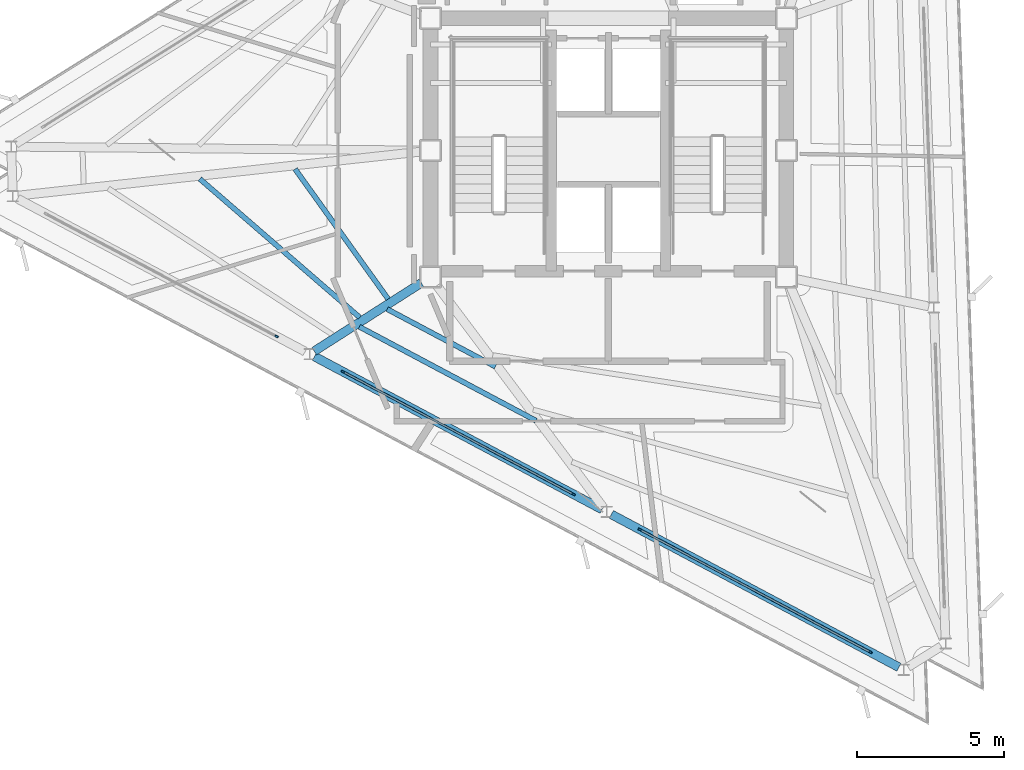
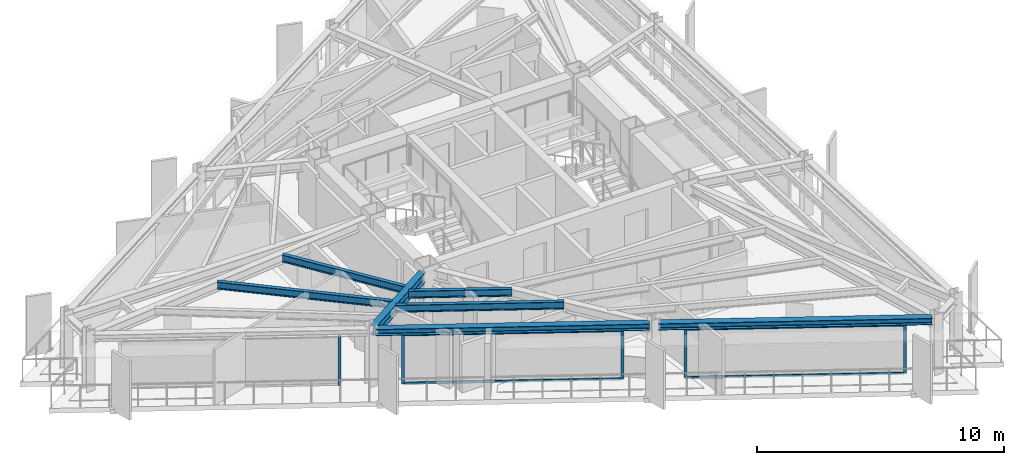
# One storey, part 2 of 13: 9 members, 7 beams, 3 elements without a shape of their own.
"""IFC4 building model written with IfcOpenShell, lengths in metres."""

from ifc_helpers import new_model, si_unit, direction, frame, origin, origin_2d, place, context, subcontext, project, spatial, rectangle, i_section, extrude, material, layer, layer_set, material_profile, profile_set, type_object, element, aggregate, save


model = new_model("IFC4")

# Units and contexts
model_context = context("Model", 3, precision=1e-05, world=origin(), true_north=direction((0.0, 1.0)))
body_context = subcontext(model_context, "Body", "Model", "MODEL_VIEW")
ifc_project = project(units=[si_unit("LENGTHUNIT", "METRE"), si_unit("AREAUNIT", "SQUARE_METRE"), si_unit("VOLUMEUNIT", "CUBIC_METRE"), si_unit("PLANEANGLEUNIT", "RADIAN"), si_unit("MASSUNIT", "GRAM", prefix="KILO")], contexts=[model_context])

# Site, building, storey
site_placement = place(None, origin())
site = spatial("IfcSite", under=ifc_project, at=site_placement, CompositionType="ELEMENT")
building_placement = place(site_placement, origin())
building = spatial("IfcBuilding", under=site, at=building_placement, Name="Rocaltana Carrier Exchange", CompositionType="ELEMENT")
storey_placement = place(building_placement, frame((0.0, 0.0, 208.800048828125)))
storey = spatial("IfcBuildingStorey", under=building, at=storey_placement, Name="L66", CompositionType="ELEMENT", Elevation=208.800048828125)

# Curtain wall, member
ifc_material_1 = material(Name="Aluminium 6063-T6", Category="aluminium")
ifc_layer = layer(ifc_material_1, 0.1201171875)
ifc_layer_set = layer_set([ifc_layer], Name="Aluminium 6063-T6")
curtain_wall_type = type_object("IfcCurtainWallType", Name="High-Altitude Thermal Curtain Wall CW-05", PredefinedType="NOTDEFINED", material=ifc_layer_set)
curtain_wall_1_placement = place(storey_placement, origin())
curtain_wall_1 = element("IfcCurtainWall", 1, at=curtain_wall_1_placement, inside=storey, type_object=curtain_wall_type, Name="L66 CW-05 Run CW-L66-F3S1", PredefinedType="NOTDEFINED")
ifc_material_2 = material(Name="Aluminium 6063-T6", Category="aluminium")
ifc_material_profile_1 = material_profile(ifc_material_2, rectangle(XDim=0.06005859375, YDim=0.1201171875, at=origin_2d()), Name="AL-60X120")
ifc_profile_set_1 = profile_set([ifc_material_profile_1], Name="Aluminium 6063-T6")
member_type_1 = type_object("IfcMemberType", Name="CW-05 Mullion AL-60X120", PredefinedType="MULLION", material=ifc_profile_set_1)
member_1_placement = place(storey_placement, frame((-11.282958984375, -6.31689453125, 0.0), z_axis=(0.0, 0.0, 1.0), x_axis=(0.469483388841, 0.882941304732, 0.0)))
member_1 = element("IfcMember", 2, at=member_1_placement, type_object=member_type_1, Name="CW-05 mullion 2", PredefinedType="MULLION", context=body_context, shape_type="SweptSolid", body=[
    extrude(rectangle(XDim=0.06005859375, YDim=0.1201171875, at=origin_2d()), origin(), (0.0, 0.0, 1.0), 2.447998046875),
])
aggregate(curtain_wall_1, [member_1])

# Curtain wall, members
curtain_wall_2_placement = place(storey_placement, origin())
curtain_wall_2 = element("IfcCurtainWall", 3, at=curtain_wall_2_placement, inside=storey, type_object=curtain_wall_type, Name="L66 CW-05 Run CW-L66-F3S2", PredefinedType="NOTDEFINED")
member_2_placement = place(storey_placement, frame((-9.0224609375, -7.5185546875, 0.0), z_axis=(0.0, 0.0, 1.0), x_axis=(0.469479302335, 0.882943477624, 0.0)))
member_2 = element("IfcMember", 4, at=member_2_placement, type_object=member_type_1, Name="CW-05 mullion 1", PredefinedType="MULLION", context=body_context, shape_type="SweptSolid", body=[
    extrude(rectangle(XDim=0.06005859375, YDim=0.1201171875, at=origin_2d()), origin(), (0.0, 0.0, 1.0), 2.447998046875),
])
member_3_placement = place(storey_placement, frame((-1.18798828125, -11.684326171875, 0.0), z_axis=(0.0, 0.0, 1.0), x_axis=(0.469479302335, 0.882943477624, 0.0)))
member_3 = element("IfcMember", 5, at=member_3_placement, type_object=member_type_1, Name="CW-05 mullion 2", PredefinedType="MULLION", context=body_context, shape_type="SweptSolid", body=[
    extrude(rectangle(XDim=0.06005859375, YDim=0.1201171875, at=origin_2d()), origin(), (0.0, 0.0, 1.0), 2.447998046875),
])

curtain_wall_3_placement = place(storey_placement, origin())
curtain_wall_3 = element("IfcCurtainWall", 6, at=curtain_wall_3_placement, inside=storey, type_object=curtain_wall_type, Name="L66 CW-05 Run CW-L66-F3S3", PredefinedType="NOTDEFINED")
member_4_placement = place(storey_placement, frame((1.072509765625, -12.88623046875, 0.0), z_axis=(0.0, 0.0, 1.0), x_axis=(0.469474662173, 0.882945944879, 0.0)))
member_4 = element("IfcMember", 7, at=member_4_placement, type_object=member_type_1, Name="CW-05 mullion 1", PredefinedType="MULLION", context=body_context, shape_type="SweptSolid", body=[
    extrude(rectangle(XDim=0.06005859375, YDim=0.1201171875, at=origin_2d()), origin(), (0.0, 0.0, 1.0), 2.447998046875),
])
member_5_placement = place(storey_placement, frame((8.9072265625, -17.052001953125, 0.0), z_axis=(0.0, 0.0, 1.0), x_axis=(0.469474662173, 0.882945944879, 0.0)))
member_5 = element("IfcMember", 8, at=member_5_placement, type_object=member_type_1, Name="CW-05 mullion 2", PredefinedType="MULLION", context=body_context, shape_type="SweptSolid", body=[
    extrude(rectangle(XDim=0.06005859375, YDim=0.1201171875, at=origin_2d()), origin(), (0.0, 0.0, 1.0), 2.447998046875),
])

# Member
ifc_material_3 = material(Name="Aluminium 6063-T6", Category="aluminium")
ifc_material_profile_2 = material_profile(ifc_material_3, rectangle(XDim=0.06005859375, YDim=0.1201171875, at=origin_2d()), Name="AL-60X120")
ifc_profile_set_2 = profile_set([ifc_material_profile_2], Name="Aluminium 6063-T6")
member_type_2 = type_object("IfcMemberType", Name="CW-05 Transom AL-60X120", PredefinedType="USERDEFINED", material=ifc_profile_set_2)
member_6_placement = place(storey_placement, frame((-8.99609375, -7.53271484375, 0.030029296875), z_axis=(0.882944221824, -0.469477902726, 0.0), x_axis=(0.469477902726, 0.882944221824, 0.0)))
member_6 = element("IfcMember", 9, at=member_6_placement, type_object=member_type_2, Name="CW-05 transom 1.1", ObjectType="TRANSOM", PredefinedType="USERDEFINED", context=body_context, shape_type="SweptSolid", body=[
    extrude(rectangle(XDim=0.06005859375, YDim=0.1201171875, at=origin_2d()), origin(), (0.0, 0.0, 1.0), 8.8134765625),
])

member_7_placement = place(storey_placement, frame((-8.99609375, -7.53271484375, 2.41796875), z_axis=(0.882944221824, -0.469477902726, 0.0), x_axis=(0.469477902726, 0.882944221824, 0.0)))
member_7 = element("IfcMember", 10, at=member_7_placement, type_object=member_type_2, Name="CW-05 transom 1.2", ObjectType="TRANSOM", PredefinedType="USERDEFINED", context=body_context, shape_type="SweptSolid", body=[
    extrude(rectangle(XDim=0.06005859375, YDim=0.1201171875, at=origin_2d()), origin(), (0.0, 0.0, 1.0), 8.8134765625),
])

aggregate(curtain_wall_2, [member_2, member_3, member_6, member_7])

member_8_placement = place(storey_placement, frame((1.098876953125, -12.900146484375, 0.030029296875), z_axis=(0.882944221824, -0.469477902726, 0.0), x_axis=(0.469477902726, 0.882944221824, 0.0)))
member_8 = element("IfcMember", 11, at=member_8_placement, type_object=member_type_2, Name="CW-05 transom 1.1", ObjectType="TRANSOM", PredefinedType="USERDEFINED", context=body_context, shape_type="SweptSolid", body=[
    extrude(rectangle(XDim=0.06005859375, YDim=0.1201171875, at=origin_2d()), origin(), (0.0, 0.0, 1.0), 8.8134765625),
])

member_9_placement = place(storey_placement, frame((1.098876953125, -12.900146484375, 2.41796875), z_axis=(0.882944221824, -0.469477902726, 0.0), x_axis=(0.469477902726, 0.882944221824, 0.0)))
member_9 = element("IfcMember", 12, at=member_9_placement, type_object=member_type_2, Name="CW-05 transom 1.2", ObjectType="TRANSOM", PredefinedType="USERDEFINED", context=body_context, shape_type="SweptSolid", body=[
    extrude(rectangle(XDim=0.06005859375, YDim=0.1201171875, at=origin_2d()), origin(), (0.0, 0.0, 1.0), 8.8134765625),
])

aggregate(curtain_wall_3, [member_4, member_5, member_8, member_9])

# Beams
ifc_material_4 = material(Name="Steel S355", Category="steel")
ifc_material_profile_3 = material_profile(ifc_material_4, i_section(OverallWidth=0.172119140625, OverallDepth=0.35791015625, WebThickness=0.0078125, FlangeThickness=0.01318359375, FilletRadius=0.011962890625, at=origin_2d()), Name="W14X38")
ifc_profile_set_3 = profile_set([ifc_material_profile_3], Name="Steel S355")
beam_type_1 = type_object("IfcBeamType", Name="Floor Joist W14X38", PredefinedType="JOIST", material=ifc_profile_set_3)
beam_1_placement = place(storey_placement, frame((-10.6513671875, -0.628662109375, 2.618896484375), z_axis=(0.582177044628, -0.813062044809, 0.0), x_axis=(0.813062044809, 0.582177044628, 0.0)))
element("IfcBeam", 13, at=beam_1_placement, inside=storey, type_object=beam_type_1, Name="FJ-L66-09-1", PredefinedType="JOIST", context=body_context, shape_type="SweptSolid", body=[
    extrude(i_section(OverallWidth=0.172119140625, OverallDepth=0.35791015625, WebThickness=0.0078125, FlangeThickness=0.01318359375, FilletRadius=0.011962890625, at=origin_2d()), origin(), (0.0, 0.0, 1.0), 5.43408203125),
])
beam_2_placement = place(storey_placement, frame((-13.891845703125, -0.96240234375, 2.618896484375), z_axis=(0.75579772027, -0.65480516647, 0.0), x_axis=(0.65480516647, 0.75579772027, 0.0)))
element("IfcBeam", 14, at=beam_2_placement, inside=storey, type_object=beam_type_1, Name="FJ-L66-09-2", PredefinedType="JOIST", context=body_context, shape_type="SweptSolid", body=[
    extrude(i_section(OverallWidth=0.172119140625, OverallDepth=0.35791015625, WebThickness=0.0078125, FlangeThickness=0.01318359375, FilletRadius=0.011962890625, at=origin_2d()), origin(), (0.0, 0.0, 1.0), 7.19189453125),
])
beam_3_placement = place(storey_placement, frame((-7.52294921875, -5.388427734375, 2.618896484375), z_axis=(0.882943632654, -0.469479010773, 0.0), x_axis=(0.469479010773, 0.882943632654, 0.0)))
element("IfcBeam", 15, at=beam_3_placement, inside=storey, type_object=beam_type_1, Name="FJ-L66-10-1", PredefinedType="JOIST", context=body_context, shape_type="SweptSolid", body=[
    extrude(i_section(OverallWidth=0.172119140625, OverallDepth=0.35791015625, WebThickness=0.0078125, FlangeThickness=0.01318359375, FilletRadius=0.011962890625, at=origin_2d()), origin(), (0.0, 0.0, 1.0), 4.171142578125),
])
beam_4_placement = place(storey_placement, frame((-8.466552734375, -5.990478515625, 2.618896484375), z_axis=(0.882938567036, -0.469488537496, 0.0), x_axis=(0.469488537496, 0.882938567036, 0.0)))
element("IfcBeam", 16, at=beam_4_placement, inside=storey, type_object=beam_type_1, Name="FJ-L66-10-2", PredefinedType="JOIST", context=body_context, shape_type="SweptSolid", body=[
    extrude(i_section(OverallWidth=0.172119140625, OverallDepth=0.35791015625, WebThickness=0.0078125, FlangeThickness=0.01318359375, FilletRadius=0.011962890625, at=origin_2d()), origin(), (0.0, 0.0, 1.0), 6.80078125),
])
ifc_material_5 = material(Name="Steel S355", Category="steel")
ifc_material_profile_4 = material_profile(ifc_material_5, i_section(OverallWidth=0.300048828125, OverallDepth=0.320068359375, WebThickness=0.011474609375, FlangeThickness=0.0205078125, FilletRadius=0.027099609375, at=origin_2d()), Name="HEB320")
ifc_profile_set_4 = profile_set([ifc_material_profile_4], Name="Steel S355")
beam_type_2 = type_object("IfcBeamType", Name="Spandrel Edge Beam HEB320", PredefinedType="SPANDREL", material=ifc_profile_set_4)
beam_5_placement = place(storey_placement, frame((-9.994140625, -7.001953125, 2.637939453125), z_axis=(0.882947252339, -0.46947220321, 0.0), x_axis=(0.46947220321, 0.882947252339, 0.0)))
element("IfcBeam", 17, at=beam_5_placement, inside=storey, type_object=beam_type_2, Name="SP-L66-10", PredefinedType="SPANDREL", context=body_context, shape_type="SweptSolid", body=[
    extrude(i_section(OverallWidth=0.300048828125, OverallDepth=0.320068359375, WebThickness=0.011474609375, FlangeThickness=0.0205078125, FilletRadius=0.027099609375, at=origin_2d()), origin(), (0.0, 0.0, 1.0), 11.073974609375),
])
beam_6_placement = place(storey_placement, frame((0.100830078125, -12.36962890625, 2.637939453125), z_axis=(0.882952111254, -0.469463064821, 0.0), x_axis=(0.469463064821, 0.882952111254, 0.0)))
element("IfcBeam", 18, at=beam_6_placement, inside=storey, type_object=beam_type_2, Name="SP-L66-11", PredefinedType="SPANDREL", context=body_context, shape_type="SweptSolid", body=[
    extrude(i_section(OverallWidth=0.300048828125, OverallDepth=0.320068359375, WebThickness=0.011474609375, FlangeThickness=0.0205078125, FilletRadius=0.027099609375, at=origin_2d()), origin(), (0.0, 0.0, 1.0), 11.07421875),
])
ifc_material_6 = material(Name="Steel S355", Category="steel")
ifc_material_profile_5 = material_profile(ifc_material_6, i_section(OverallWidth=0.300048828125, OverallDepth=0.5, WebThickness=0.014404296875, FlangeThickness=0.028076171875, FilletRadius=0.027099609375, at=origin_2d()), Name="HEB500")
ifc_profile_set_5 = profile_set([ifc_material_profile_5], Name="Steel S355")
beam_type_3 = type_object("IfcBeamType", Name="Upper Radial Girder HEB500", PredefinedType="BEAM", material=ifc_profile_set_5)
beam_7_placement = place(storey_placement, frame((-6.359375, -4.497314453125, 2.5478515625), z_axis=(-0.843002356226, -0.537909869213, 0.0), x_axis=(0.537909869213, -0.843002356226, 0.0)))
element("IfcBeam", 19, at=beam_7_placement, inside=storey, type_object=beam_type_3, Name="RG-L66-10", PredefinedType="BEAM", context=body_context, shape_type="SweptSolid", body=[
    extrude(i_section(OverallWidth=0.300048828125, OverallDepth=0.5, WebThickness=0.014404296875, FlangeThickness=0.028076171875, FilletRadius=0.027099609375, at=origin_2d()), origin(), (0.0, 0.0, 1.0), 4.3203125),
])

save(model, "model.ifc")
